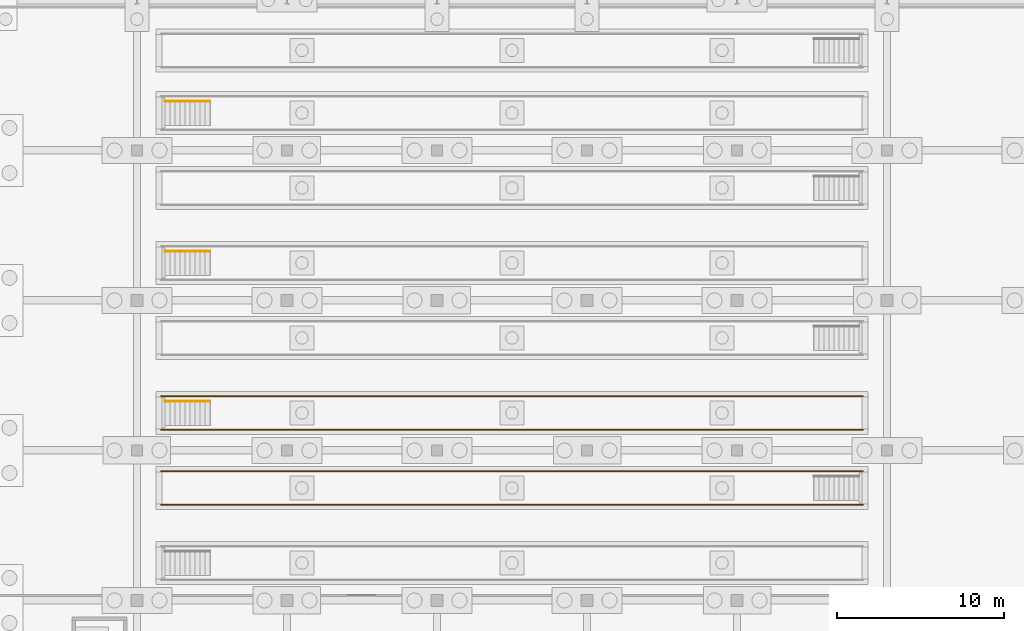
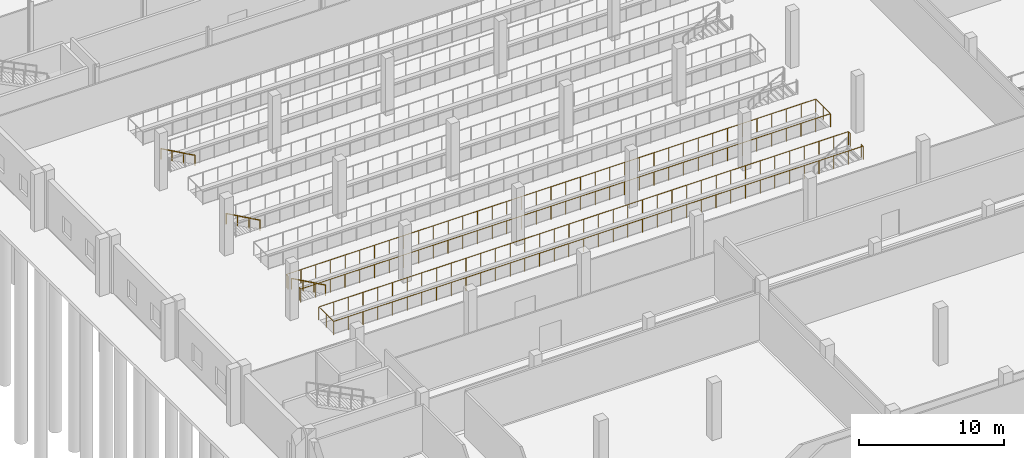
# One storey, part 98 of 112: 5 railings.
"""IFC4 building model written with IfcOpenShell, lengths in metres."""

from ifc_helpers import new_model, si_unit, direction, frame, origin, origin_2d, place, context, subcontext, project, spatial, circle, extrude, material, type_object, element, save


model = new_model("IFC4")

# Units and contexts
model_context = context("Model", 3, precision=1e-05, world=origin(), true_north=direction((0.0, 1.0)))
body_context = subcontext(model_context, "Body", "Model", "MODEL_VIEW")
ifc_project = project(units=[si_unit("LENGTHUNIT", "METRE"), si_unit("AREAUNIT", "SQUARE_METRE"), si_unit("VOLUMEUNIT", "CUBIC_METRE"), si_unit("PLANEANGLEUNIT", "RADIAN"), si_unit("MASSUNIT", "GRAM", prefix="KILO")], contexts=[model_context])

# Site, building, storey
site_placement = place(None, origin())
site = spatial("IfcSite", under=ifc_project, at=site_placement, CompositionType="ELEMENT")
building_placement = place(site_placement, origin())
building = spatial("IfcBuilding", under=site, at=building_placement, Name="Tharagai Park Tramway Depot", CompositionType="ELEMENT")
storey_placement = place(building_placement, origin())
storey = spatial("IfcBuildingStorey", under=building, at=storey_placement, Name="L00", CompositionType="ELEMENT", Elevation=0.0)

# Railings
ifc_material = material(Name="Galvanised steel", Category="steel")
railing_type_1 = type_object("IfcRailingType", Name="HR-01", PredefinedType="GUARDRAIL", material=ifc_material)
railing_1_placement = place(storey_placement, frame((52.56005859375, 61.52001953125, 0.0)))
element("IfcRailing", 1, at=railing_1_placement, inside=storey, type_object=railing_type_1, Name="Inspection Pit Track 2 Mouth Safety Guard 1", PredefinedType="GUARDRAIL", context=body_context, shape_type="SweptSolid", body=[
    extrude(circle(Radius=0.02392578125, at=origin_2d()), frame((0.0, 0.0, 1.10595703125), z_axis=(0.0, 1.0, 0.0), x_axis=(-1.0, 0.0, 0.0)), (0.0, 0.0, 1.0), 0.239990234375),
    extrude(circle(Radius=0.02392578125, at=origin_2d()), frame((0.0, 0.239990234375, 1.10595703125), z_axis=(-1.0, 0.0, 0.0), x_axis=(0.0, -1.0, 0.0)), (0.0, 0.0, 1.0), 42.1201171875),
    extrude(circle(Radius=0.02392578125, at=origin_2d()), frame((-42.1201171875, 0.239990234375, 1.10595703125), z_axis=(0.0, -1.0, 0.0), x_axis=(1.0, 0.0, 0.0)), (0.0, 0.0, 1.0), 2.02001953125),
    extrude(circle(Radius=0.02392578125, at=origin_2d()), frame((-42.1201171875, -1.780029296875, 1.10595703125), z_axis=(1.0, 0.0, 0.0), x_axis=(0.0, 1.0, 0.0)), (0.0, 0.0, 1.0), 42.1201171875),
    extrude(circle(Radius=0.02392578125, at=origin_2d()), frame((0.0, -1.780029296875, 1.10595703125), z_axis=(0.0, 1.0, 0.0), x_axis=(-1.0, 0.0, 0.0)), (0.0, 0.0, 1.0), 0.239990234375),
    extrude(circle(Radius=0.02099609375, at=origin_2d()), origin(), (0.0, 0.0, 1.0), 1.081787109375),
    extrude(circle(Radius=0.02099609375, at=origin_2d()), frame((0.0, 0.239990234375, 0.0)), (0.0, 0.0, 1.0), 1.081787109375),
    extrude(circle(Radius=0.02099609375, at=origin_2d()), frame((-1.169921875, 0.239990234375, 0.0)), (0.0, 0.0, 1.0), 1.081787109375),
    extrude(circle(Radius=0.02099609375, at=origin_2d()), frame((-2.340087890625, 0.239990234375, 0.0)), (0.0, 0.0, 1.0), 1.081787109375),
    extrude(circle(Radius=0.02099609375, at=origin_2d()), frame((-3.510009765625, 0.239990234375, 0.0)), (0.0, 0.0, 1.0), 1.081787109375),
    extrude(circle(Radius=0.02099609375, at=origin_2d()), frame((-4.679931640625, 0.239990234375, 0.0)), (0.0, 0.0, 1.0), 1.081787109375),
    extrude(circle(Radius=0.02099609375, at=origin_2d()), frame((-5.85009765625, 0.239990234375, 0.0)), (0.0, 0.0, 1.0), 1.081787109375),
    extrude(circle(Radius=0.02099609375, at=origin_2d()), frame((-7.02001953125, 0.239990234375, 0.0)), (0.0, 0.0, 1.0), 1.081787109375),
    extrude(circle(Radius=0.02099609375, at=origin_2d()), frame((-8.18994140625, 0.239990234375, 0.0)), (0.0, 0.0, 1.0), 1.081787109375),
    extrude(circle(Radius=0.02099609375, at=origin_2d()), frame((-9.360107421875, 0.239990234375, 0.0)), (0.0, 0.0, 1.0), 1.081787109375),
    extrude(circle(Radius=0.02099609375, at=origin_2d()), frame((-10.530029296875, 0.239990234375, 0.0)), (0.0, 0.0, 1.0), 1.081787109375),
    extrude(circle(Radius=0.02099609375, at=origin_2d()), frame((-11.699951171875, 0.239990234375, 0.0)), (0.0, 0.0, 1.0), 1.081787109375),
    extrude(circle(Radius=0.02099609375, at=origin_2d()), frame((-12.8701171875, 0.239990234375, 0.0)), (0.0, 0.0, 1.0), 1.081787109375),
    extrude(circle(Radius=0.02099609375, at=origin_2d()), frame((-14.0400390625, 0.239990234375, 0.0)), (0.0, 0.0, 1.0), 1.081787109375),
    extrude(circle(Radius=0.02099609375, at=origin_2d()), frame((-15.2099609375, 0.239990234375, 0.0)), (0.0, 0.0, 1.0), 1.081787109375),
    extrude(circle(Radius=0.02099609375, at=origin_2d()), frame((-16.380126953125, 0.239990234375, 0.0)), (0.0, 0.0, 1.0), 1.081787109375),
    extrude(circle(Radius=0.02099609375, at=origin_2d()), frame((-17.550048828125, 0.239990234375, 0.0)), (0.0, 0.0, 1.0), 1.081787109375),
    extrude(circle(Radius=0.02099609375, at=origin_2d()), frame((-18.719970703125, 0.239990234375, 0.0)), (0.0, 0.0, 1.0), 1.081787109375),
    extrude(circle(Radius=0.02099609375, at=origin_2d()), frame((-19.89013671875, 0.239990234375, 0.0)), (0.0, 0.0, 1.0), 1.081787109375),
    extrude(circle(Radius=0.02099609375, at=origin_2d()), frame((-21.06005859375, 0.239990234375, 0.0)), (0.0, 0.0, 1.0), 1.081787109375),
    extrude(circle(Radius=0.02099609375, at=origin_2d()), frame((-22.22998046875, 0.239990234375, 0.0)), (0.0, 0.0, 1.0), 1.081787109375),
    extrude(circle(Radius=0.02099609375, at=origin_2d()), frame((-23.400146484375, 0.239990234375, 0.0)), (0.0, 0.0, 1.0), 1.081787109375),
    extrude(circle(Radius=0.02099609375, at=origin_2d()), frame((-24.570068359375, 0.239990234375, 0.0)), (0.0, 0.0, 1.0), 1.081787109375),
    extrude(circle(Radius=0.02099609375, at=origin_2d()), frame((-25.739990234375, 0.239990234375, 0.0)), (0.0, 0.0, 1.0), 1.081787109375),
    extrude(circle(Radius=0.02099609375, at=origin_2d()), frame((-26.91015625, 0.239990234375, 0.0)), (0.0, 0.0, 1.0), 1.081787109375),
    extrude(circle(Radius=0.02099609375, at=origin_2d()), frame((-28.080078125, 0.239990234375, 0.0)), (0.0, 0.0, 1.0), 1.081787109375),
    extrude(circle(Radius=0.02099609375, at=origin_2d()), frame((-29.25, 0.239990234375, 0.0)), (0.0, 0.0, 1.0), 1.081787109375),
    extrude(circle(Radius=0.02099609375, at=origin_2d()), frame((-30.420166015625, 0.239990234375, 0.0)), (0.0, 0.0, 1.0), 1.081787109375),
    extrude(circle(Radius=0.02099609375, at=origin_2d()), frame((-31.590087890625, 0.239990234375, 0.0)), (0.0, 0.0, 1.0), 1.081787109375),
    extrude(circle(Radius=0.02099609375, at=origin_2d()), frame((-32.760009765625, 0.239990234375, 0.0)), (0.0, 0.0, 1.0), 1.081787109375),
    extrude(circle(Radius=0.02099609375, at=origin_2d()), frame((-33.93017578125, 0.239990234375, 0.0)), (0.0, 0.0, 1.0), 1.081787109375),
    extrude(circle(Radius=0.02099609375, at=origin_2d()), frame((-35.10009765625, 0.239990234375, 0.0)), (0.0, 0.0, 1.0), 1.081787109375),
    extrude(circle(Radius=0.02099609375, at=origin_2d()), frame((-36.27001953125, 0.239990234375, 0.0)), (0.0, 0.0, 1.0), 1.081787109375),
    extrude(circle(Radius=0.02099609375, at=origin_2d()), frame((-37.440185546875, 0.239990234375, 0.0)), (0.0, 0.0, 1.0), 1.081787109375),
    extrude(circle(Radius=0.02099609375, at=origin_2d()), frame((-38.610107421875, 0.239990234375, 0.0)), (0.0, 0.0, 1.0), 1.081787109375),
    extrude(circle(Radius=0.02099609375, at=origin_2d()), frame((-39.780029296875, 0.239990234375, 0.0)), (0.0, 0.0, 1.0), 1.081787109375),
    extrude(circle(Radius=0.02099609375, at=origin_2d()), frame((-40.9501953125, 0.239990234375, 0.0)), (0.0, 0.0, 1.0), 1.081787109375),
    extrude(circle(Radius=0.02099609375, at=origin_2d()), frame((-42.1201171875, 0.239990234375, 0.0)), (0.0, 0.0, 1.0), 1.081787109375),
    extrude(circle(Radius=0.02099609375, at=origin_2d()), frame((-42.1201171875, -0.77001953125, 0.0)), (0.0, 0.0, 1.0), 1.081787109375),
    extrude(circle(Radius=0.02099609375, at=origin_2d()), frame((-42.1201171875, -1.780029296875, 0.0)), (0.0, 0.0, 1.0), 1.081787109375),
    extrude(circle(Radius=0.02099609375, at=origin_2d()), frame((-40.9501953125, -1.780029296875, 0.0)), (0.0, 0.0, 1.0), 1.081787109375),
    extrude(circle(Radius=0.02099609375, at=origin_2d()), frame((-39.780029296875, -1.780029296875, 0.0)), (0.0, 0.0, 1.0), 1.081787109375),
    extrude(circle(Radius=0.02099609375, at=origin_2d()), frame((-38.610107421875, -1.780029296875, 0.0)), (0.0, 0.0, 1.0), 1.081787109375),
    extrude(circle(Radius=0.02099609375, at=origin_2d()), frame((-37.440185546875, -1.780029296875, 0.0)), (0.0, 0.0, 1.0), 1.081787109375),
    extrude(circle(Radius=0.02099609375, at=origin_2d()), frame((-36.27001953125, -1.780029296875, 0.0)), (0.0, 0.0, 1.0), 1.081787109375),
    extrude(circle(Radius=0.02099609375, at=origin_2d()), frame((-35.10009765625, -1.780029296875, 0.0)), (0.0, 0.0, 1.0), 1.081787109375),
    extrude(circle(Radius=0.02099609375, at=origin_2d()), frame((-33.93017578125, -1.780029296875, 0.0)), (0.0, 0.0, 1.0), 1.081787109375),
    extrude(circle(Radius=0.02099609375, at=origin_2d()), frame((-32.760009765625, -1.780029296875, 0.0)), (0.0, 0.0, 1.0), 1.081787109375),
    extrude(circle(Radius=0.02099609375, at=origin_2d()), frame((-31.590087890625, -1.780029296875, 0.0)), (0.0, 0.0, 1.0), 1.081787109375),
    extrude(circle(Radius=0.02099609375, at=origin_2d()), frame((-30.420166015625, -1.780029296875, 0.0)), (0.0, 0.0, 1.0), 1.081787109375),
    extrude(circle(Radius=0.02099609375, at=origin_2d()), frame((-29.25, -1.780029296875, 0.0)), (0.0, 0.0, 1.0), 1.081787109375),
    extrude(circle(Radius=0.02099609375, at=origin_2d()), frame((-28.080078125, -1.780029296875, 0.0)), (0.0, 0.0, 1.0), 1.081787109375),
    extrude(circle(Radius=0.02099609375, at=origin_2d()), frame((-26.91015625, -1.780029296875, 0.0)), (0.0, 0.0, 1.0), 1.081787109375),
    extrude(circle(Radius=0.02099609375, at=origin_2d()), frame((-25.739990234375, -1.780029296875, 0.0)), (0.0, 0.0, 1.0), 1.081787109375),
    extrude(circle(Radius=0.02099609375, at=origin_2d()), frame((-24.570068359375, -1.780029296875, 0.0)), (0.0, 0.0, 1.0), 1.081787109375),
    extrude(circle(Radius=0.02099609375, at=origin_2d()), frame((-23.400146484375, -1.780029296875, 0.0)), (0.0, 0.0, 1.0), 1.081787109375),
    extrude(circle(Radius=0.02099609375, at=origin_2d()), frame((-22.22998046875, -1.780029296875, 0.0)), (0.0, 0.0, 1.0), 1.081787109375),
    extrude(circle(Radius=0.02099609375, at=origin_2d()), frame((-21.06005859375, -1.780029296875, 0.0)), (0.0, 0.0, 1.0), 1.081787109375),
    extrude(circle(Radius=0.02099609375, at=origin_2d()), frame((-19.89013671875, -1.780029296875, 0.0)), (0.0, 0.0, 1.0), 1.081787109375),
    extrude(circle(Radius=0.02099609375, at=origin_2d()), frame((-18.719970703125, -1.780029296875, 0.0)), (0.0, 0.0, 1.0), 1.081787109375),
    extrude(circle(Radius=0.02099609375, at=origin_2d()), frame((-17.550048828125, -1.780029296875, 0.0)), (0.0, 0.0, 1.0), 1.081787109375),
    extrude(circle(Radius=0.02099609375, at=origin_2d()), frame((-16.380126953125, -1.780029296875, 0.0)), (0.0, 0.0, 1.0), 1.081787109375),
    extrude(circle(Radius=0.02099609375, at=origin_2d()), frame((-15.2099609375, -1.780029296875, 0.0)), (0.0, 0.0, 1.0), 1.081787109375),
    extrude(circle(Radius=0.02099609375, at=origin_2d()), frame((-14.0400390625, -1.780029296875, 0.0)), (0.0, 0.0, 1.0), 1.081787109375),
    extrude(circle(Radius=0.02099609375, at=origin_2d()), frame((-12.8701171875, -1.780029296875, 0.0)), (0.0, 0.0, 1.0), 1.081787109375),
    extrude(circle(Radius=0.02099609375, at=origin_2d()), frame((-11.699951171875, -1.780029296875, 0.0)), (0.0, 0.0, 1.0), 1.081787109375),
    extrude(circle(Radius=0.02099609375, at=origin_2d()), frame((-10.530029296875, -1.780029296875, 0.0)), (0.0, 0.0, 1.0), 1.081787109375),
    extrude(circle(Radius=0.02099609375, at=origin_2d()), frame((-9.360107421875, -1.780029296875, 0.0)), (0.0, 0.0, 1.0), 1.081787109375),
    extrude(circle(Radius=0.02099609375, at=origin_2d()), frame((-8.18994140625, -1.780029296875, 0.0)), (0.0, 0.0, 1.0), 1.081787109375),
    extrude(circle(Radius=0.02099609375, at=origin_2d()), frame((-7.02001953125, -1.780029296875, 0.0)), (0.0, 0.0, 1.0), 1.081787109375),
    extrude(circle(Radius=0.02099609375, at=origin_2d()), frame((-5.85009765625, -1.780029296875, 0.0)), (0.0, 0.0, 1.0), 1.081787109375),
    extrude(circle(Radius=0.02099609375, at=origin_2d()), frame((-4.679931640625, -1.780029296875, 0.0)), (0.0, 0.0, 1.0), 1.081787109375),
    extrude(circle(Radius=0.02099609375, at=origin_2d()), frame((-3.510009765625, -1.780029296875, 0.0)), (0.0, 0.0, 1.0), 1.081787109375),
    extrude(circle(Radius=0.02099609375, at=origin_2d()), frame((-2.340087890625, -1.780029296875, 0.0)), (0.0, 0.0, 1.0), 1.081787109375),
    extrude(circle(Radius=0.02099609375, at=origin_2d()), frame((-1.169921875, -1.780029296875, 0.0)), (0.0, 0.0, 1.0), 1.081787109375),
    extrude(circle(Radius=0.02099609375, at=origin_2d()), frame((0.0, -1.780029296875, 0.0)), (0.0, 0.0, 1.0), 1.081787109375),
    extrude(circle(Radius=0.02099609375, at=origin_2d()), frame((0.0, -1.5400390625, 0.0)), (0.0, 0.0, 1.0), 1.081787109375),
])
railing_2_placement = place(storey_placement, frame((10.43994140625, 64.47998046875, 0.0)))
element("IfcRailing", 2, at=railing_2_placement, inside=storey, type_object=railing_type_1, Name="Inspection Pit Track 3 Mouth Safety Guard 1", PredefinedType="GUARDRAIL", context=body_context, shape_type="SweptSolid", body=[
    extrude(circle(Radius=0.02392578125, at=origin_2d()), frame((0.0, 0.0, 1.10595703125), z_axis=(0.0, -1.0, 0.0), x_axis=(1.0, 0.0, 0.0)), (0.0, 0.0, 1.0), 0.239990234375),
    extrude(circle(Radius=0.02392578125, at=origin_2d()), frame((0.0, -0.239990234375, 1.10595703125), z_axis=(1.0, 0.0, 0.0), x_axis=(0.0, 1.0, 0.0)), (0.0, 0.0, 1.0), 42.1201171875),
    extrude(circle(Radius=0.02392578125, at=origin_2d()), frame((42.1201171875, -0.239990234375, 1.10595703125), z_axis=(0.0, 1.0, 0.0), x_axis=(-1.0, 0.0, 0.0)), (0.0, 0.0, 1.0), 2.02001953125),
    extrude(circle(Radius=0.02392578125, at=origin_2d()), frame((42.1201171875, 1.780029296875, 1.10595703125), z_axis=(-1.0, 0.0, 0.0), x_axis=(0.0, -1.0, 0.0)), (0.0, 0.0, 1.0), 42.1201171875),
    extrude(circle(Radius=0.02392578125, at=origin_2d()), frame((0.0, 1.780029296875, 1.10595703125), z_axis=(0.0, -1.0, 0.0), x_axis=(1.0, 0.0, 0.0)), (0.0, 0.0, 1.0), 0.239990234375),
    extrude(circle(Radius=0.02099609375, at=origin_2d()), origin(), (0.0, 0.0, 1.0), 1.081787109375),
    extrude(circle(Radius=0.02099609375, at=origin_2d()), frame((0.0, -0.239990234375, 0.0)), (0.0, 0.0, 1.0), 1.081787109375),
    extrude(circle(Radius=0.02099609375, at=origin_2d()), frame((1.169921875, -0.239990234375, 0.0)), (0.0, 0.0, 1.0), 1.081787109375),
    extrude(circle(Radius=0.02099609375, at=origin_2d()), frame((2.340087890625, -0.239990234375, 0.0)), (0.0, 0.0, 1.0), 1.081787109375),
    extrude(circle(Radius=0.02099609375, at=origin_2d()), frame((3.510009765625, -0.239990234375, 0.0)), (0.0, 0.0, 1.0), 1.081787109375),
    extrude(circle(Radius=0.02099609375, at=origin_2d()), frame((4.679931640625, -0.239990234375, 0.0)), (0.0, 0.0, 1.0), 1.081787109375),
    extrude(circle(Radius=0.02099609375, at=origin_2d()), frame((5.85009765625, -0.239990234375, 0.0)), (0.0, 0.0, 1.0), 1.081787109375),
    extrude(circle(Radius=0.02099609375, at=origin_2d()), frame((7.02001953125, -0.239990234375, 0.0)), (0.0, 0.0, 1.0), 1.081787109375),
    extrude(circle(Radius=0.02099609375, at=origin_2d()), frame((8.18994140625, -0.239990234375, 0.0)), (0.0, 0.0, 1.0), 1.081787109375),
    extrude(circle(Radius=0.02099609375, at=origin_2d()), frame((9.360107421875, -0.239990234375, 0.0)), (0.0, 0.0, 1.0), 1.081787109375),
    extrude(circle(Radius=0.02099609375, at=origin_2d()), frame((10.530029296875, -0.239990234375, 0.0)), (0.0, 0.0, 1.0), 1.081787109375),
    extrude(circle(Radius=0.02099609375, at=origin_2d()), frame((11.699951171875, -0.239990234375, 0.0)), (0.0, 0.0, 1.0), 1.081787109375),
    extrude(circle(Radius=0.02099609375, at=origin_2d()), frame((12.8701171875, -0.239990234375, 0.0)), (0.0, 0.0, 1.0), 1.081787109375),
    extrude(circle(Radius=0.02099609375, at=origin_2d()), frame((14.0400390625, -0.239990234375, 0.0)), (0.0, 0.0, 1.0), 1.081787109375),
    extrude(circle(Radius=0.02099609375, at=origin_2d()), frame((15.2099609375, -0.239990234375, 0.0)), (0.0, 0.0, 1.0), 1.081787109375),
    extrude(circle(Radius=0.02099609375, at=origin_2d()), frame((16.380126953125, -0.239990234375, 0.0)), (0.0, 0.0, 1.0), 1.081787109375),
    extrude(circle(Radius=0.02099609375, at=origin_2d()), frame((17.550048828125, -0.239990234375, 0.0)), (0.0, 0.0, 1.0), 1.081787109375),
    extrude(circle(Radius=0.02099609375, at=origin_2d()), frame((18.719970703125, -0.239990234375, 0.0)), (0.0, 0.0, 1.0), 1.081787109375),
    extrude(circle(Radius=0.02099609375, at=origin_2d()), frame((19.89013671875, -0.239990234375, 0.0)), (0.0, 0.0, 1.0), 1.081787109375),
    extrude(circle(Radius=0.02099609375, at=origin_2d()), frame((21.06005859375, -0.239990234375, 0.0)), (0.0, 0.0, 1.0), 1.081787109375),
    extrude(circle(Radius=0.02099609375, at=origin_2d()), frame((22.22998046875, -0.239990234375, 0.0)), (0.0, 0.0, 1.0), 1.081787109375),
    extrude(circle(Radius=0.02099609375, at=origin_2d()), frame((23.400146484375, -0.239990234375, 0.0)), (0.0, 0.0, 1.0), 1.081787109375),
    extrude(circle(Radius=0.02099609375, at=origin_2d()), frame((24.570068359375, -0.239990234375, 0.0)), (0.0, 0.0, 1.0), 1.081787109375),
    extrude(circle(Radius=0.02099609375, at=origin_2d()), frame((25.739990234375, -0.239990234375, 0.0)), (0.0, 0.0, 1.0), 1.081787109375),
    extrude(circle(Radius=0.02099609375, at=origin_2d()), frame((26.91015625, -0.239990234375, 0.0)), (0.0, 0.0, 1.0), 1.081787109375),
    extrude(circle(Radius=0.02099609375, at=origin_2d()), frame((28.080078125, -0.239990234375, 0.0)), (0.0, 0.0, 1.0), 1.081787109375),
    extrude(circle(Radius=0.02099609375, at=origin_2d()), frame((29.25, -0.239990234375, 0.0)), (0.0, 0.0, 1.0), 1.081787109375),
    extrude(circle(Radius=0.02099609375, at=origin_2d()), frame((30.420166015625, -0.239990234375, 0.0)), (0.0, 0.0, 1.0), 1.081787109375),
    extrude(circle(Radius=0.02099609375, at=origin_2d()), frame((31.590087890625, -0.239990234375, 0.0)), (0.0, 0.0, 1.0), 1.081787109375),
    extrude(circle(Radius=0.02099609375, at=origin_2d()), frame((32.760009765625, -0.239990234375, 0.0)), (0.0, 0.0, 1.0), 1.081787109375),
    extrude(circle(Radius=0.02099609375, at=origin_2d()), frame((33.93017578125, -0.239990234375, 0.0)), (0.0, 0.0, 1.0), 1.081787109375),
    extrude(circle(Radius=0.02099609375, at=origin_2d()), frame((35.10009765625, -0.239990234375, 0.0)), (0.0, 0.0, 1.0), 1.081787109375),
    extrude(circle(Radius=0.02099609375, at=origin_2d()), frame((36.27001953125, -0.239990234375, 0.0)), (0.0, 0.0, 1.0), 1.081787109375),
    extrude(circle(Radius=0.02099609375, at=origin_2d()), frame((37.440185546875, -0.239990234375, 0.0)), (0.0, 0.0, 1.0), 1.081787109375),
    extrude(circle(Radius=0.02099609375, at=origin_2d()), frame((38.610107421875, -0.239990234375, 0.0)), (0.0, 0.0, 1.0), 1.081787109375),
    extrude(circle(Radius=0.02099609375, at=origin_2d()), frame((39.780029296875, -0.239990234375, 0.0)), (0.0, 0.0, 1.0), 1.081787109375),
    extrude(circle(Radius=0.02099609375, at=origin_2d()), frame((40.9501953125, -0.239990234375, 0.0)), (0.0, 0.0, 1.0), 1.081787109375),
    extrude(circle(Radius=0.02099609375, at=origin_2d()), frame((42.1201171875, -0.239990234375, 0.0)), (0.0, 0.0, 1.0), 1.081787109375),
    extrude(circle(Radius=0.02099609375, at=origin_2d()), frame((42.1201171875, 0.77001953125, 0.0)), (0.0, 0.0, 1.0), 1.081787109375),
    extrude(circle(Radius=0.02099609375, at=origin_2d()), frame((42.1201171875, 1.780029296875, 0.0)), (0.0, 0.0, 1.0), 1.081787109375),
    extrude(circle(Radius=0.02099609375, at=origin_2d()), frame((40.9501953125, 1.780029296875, 0.0)), (0.0, 0.0, 1.0), 1.081787109375),
    extrude(circle(Radius=0.02099609375, at=origin_2d()), frame((39.780029296875, 1.780029296875, 0.0)), (0.0, 0.0, 1.0), 1.081787109375),
    extrude(circle(Radius=0.02099609375, at=origin_2d()), frame((38.610107421875, 1.780029296875, 0.0)), (0.0, 0.0, 1.0), 1.081787109375),
    extrude(circle(Radius=0.02099609375, at=origin_2d()), frame((37.440185546875, 1.780029296875, 0.0)), (0.0, 0.0, 1.0), 1.081787109375),
    extrude(circle(Radius=0.02099609375, at=origin_2d()), frame((36.27001953125, 1.780029296875, 0.0)), (0.0, 0.0, 1.0), 1.081787109375),
    extrude(circle(Radius=0.02099609375, at=origin_2d()), frame((35.10009765625, 1.780029296875, 0.0)), (0.0, 0.0, 1.0), 1.081787109375),
    extrude(circle(Radius=0.02099609375, at=origin_2d()), frame((33.93017578125, 1.780029296875, 0.0)), (0.0, 0.0, 1.0), 1.081787109375),
    extrude(circle(Radius=0.02099609375, at=origin_2d()), frame((32.760009765625, 1.780029296875, 0.0)), (0.0, 0.0, 1.0), 1.081787109375),
    extrude(circle(Radius=0.02099609375, at=origin_2d()), frame((31.590087890625, 1.780029296875, 0.0)), (0.0, 0.0, 1.0), 1.081787109375),
    extrude(circle(Radius=0.02099609375, at=origin_2d()), frame((30.420166015625, 1.780029296875, 0.0)), (0.0, 0.0, 1.0), 1.081787109375),
    extrude(circle(Radius=0.02099609375, at=origin_2d()), frame((29.25, 1.780029296875, 0.0)), (0.0, 0.0, 1.0), 1.081787109375),
    extrude(circle(Radius=0.02099609375, at=origin_2d()), frame((28.080078125, 1.780029296875, 0.0)), (0.0, 0.0, 1.0), 1.081787109375),
    extrude(circle(Radius=0.02099609375, at=origin_2d()), frame((26.91015625, 1.780029296875, 0.0)), (0.0, 0.0, 1.0), 1.081787109375),
    extrude(circle(Radius=0.02099609375, at=origin_2d()), frame((25.739990234375, 1.780029296875, 0.0)), (0.0, 0.0, 1.0), 1.081787109375),
    extrude(circle(Radius=0.02099609375, at=origin_2d()), frame((24.570068359375, 1.780029296875, 0.0)), (0.0, 0.0, 1.0), 1.081787109375),
    extrude(circle(Radius=0.02099609375, at=origin_2d()), frame((23.400146484375, 1.780029296875, 0.0)), (0.0, 0.0, 1.0), 1.081787109375),
    extrude(circle(Radius=0.02099609375, at=origin_2d()), frame((22.22998046875, 1.780029296875, 0.0)), (0.0, 0.0, 1.0), 1.081787109375),
    extrude(circle(Radius=0.02099609375, at=origin_2d()), frame((21.06005859375, 1.780029296875, 0.0)), (0.0, 0.0, 1.0), 1.081787109375),
    extrude(circle(Radius=0.02099609375, at=origin_2d()), frame((19.89013671875, 1.780029296875, 0.0)), (0.0, 0.0, 1.0), 1.081787109375),
    extrude(circle(Radius=0.02099609375, at=origin_2d()), frame((18.719970703125, 1.780029296875, 0.0)), (0.0, 0.0, 1.0), 1.081787109375),
    extrude(circle(Radius=0.02099609375, at=origin_2d()), frame((17.550048828125, 1.780029296875, 0.0)), (0.0, 0.0, 1.0), 1.081787109375),
    extrude(circle(Radius=0.02099609375, at=origin_2d()), frame((16.380126953125, 1.780029296875, 0.0)), (0.0, 0.0, 1.0), 1.081787109375),
    extrude(circle(Radius=0.02099609375, at=origin_2d()), frame((15.2099609375, 1.780029296875, 0.0)), (0.0, 0.0, 1.0), 1.081787109375),
    extrude(circle(Radius=0.02099609375, at=origin_2d()), frame((14.0400390625, 1.780029296875, 0.0)), (0.0, 0.0, 1.0), 1.081787109375),
    extrude(circle(Radius=0.02099609375, at=origin_2d()), frame((12.8701171875, 1.780029296875, 0.0)), (0.0, 0.0, 1.0), 1.081787109375),
    extrude(circle(Radius=0.02099609375, at=origin_2d()), frame((11.699951171875, 1.780029296875, 0.0)), (0.0, 0.0, 1.0), 1.081787109375),
    extrude(circle(Radius=0.02099609375, at=origin_2d()), frame((10.530029296875, 1.780029296875, 0.0)), (0.0, 0.0, 1.0), 1.081787109375),
    extrude(circle(Radius=0.02099609375, at=origin_2d()), frame((9.360107421875, 1.780029296875, 0.0)), (0.0, 0.0, 1.0), 1.081787109375),
    extrude(circle(Radius=0.02099609375, at=origin_2d()), frame((8.18994140625, 1.780029296875, 0.0)), (0.0, 0.0, 1.0), 1.081787109375),
    extrude(circle(Radius=0.02099609375, at=origin_2d()), frame((7.02001953125, 1.780029296875, 0.0)), (0.0, 0.0, 1.0), 1.081787109375),
    extrude(circle(Radius=0.02099609375, at=origin_2d()), frame((5.85009765625, 1.780029296875, 0.0)), (0.0, 0.0, 1.0), 1.081787109375),
    extrude(circle(Radius=0.02099609375, at=origin_2d()), frame((4.679931640625, 1.780029296875, 0.0)), (0.0, 0.0, 1.0), 1.081787109375),
    extrude(circle(Radius=0.02099609375, at=origin_2d()), frame((3.510009765625, 1.780029296875, 0.0)), (0.0, 0.0, 1.0), 1.081787109375),
    extrude(circle(Radius=0.02099609375, at=origin_2d()), frame((2.340087890625, 1.780029296875, 0.0)), (0.0, 0.0, 1.0), 1.081787109375),
    extrude(circle(Radius=0.02099609375, at=origin_2d()), frame((1.169921875, 1.780029296875, 0.0)), (0.0, 0.0, 1.0), 1.081787109375),
    extrude(circle(Radius=0.02099609375, at=origin_2d()), frame((0.0, 1.780029296875, 0.0)), (0.0, 0.0, 1.0), 1.081787109375),
    extrude(circle(Radius=0.02099609375, at=origin_2d()), frame((0.0, 1.5400390625, 0.0)), (0.0, 0.0, 1.0), 1.081787109375),
])
railing_type_2 = type_object("IfcRailingType", Name="HR-03", PredefinedType="HANDRAIL", material=ifc_material)
for number, where, name in (
    (3, (13.3798828125, 65.949951171875, -1.5), "Inspection Pit Track 3 Stair Handrail"),
    (4, (13.3798828125, 74.949951171875, -1.5), "Inspection Pit Track 5 Stair Handrail"),
    (5, (13.3798828125, 83.949951171875, -1.5), "Inspection Pit Track 7 Stair Handrail"),
):
    element("IfcRailing", number, at=place(storey_placement, frame(where)), inside=storey, type_object=railing_type_2, Name=name, PredefinedType="HANDRAIL", context=body_context, shape_type="SweptSolid", body=[
        extrude(circle(Radius=0.02392578125, at=origin_2d()), frame((0.0, 0.0, 0.8759765625), z_axis=(-0.87415354758, 0.0, 0.485649642493), x_axis=(0.0, -1.0, 0.0)), (0.0, 0.0, 1.0), 3.088623046875),
        extrude(circle(Radius=0.02099609375, at=origin_2d()), origin(), (0.0, 0.0, 1.0), 0.851806640625),
        extrude(circle(Radius=0.02099609375, at=origin_2d()), frame((-0.89990234375, 0.0, 0.5)), (0.0, 0.0, 1.0), 0.851806640625),
        extrude(circle(Radius=0.02099609375, at=origin_2d()), frame((-1.800048828125, 0.0, 1.0)), (0.0, 0.0, 1.0), 0.851806640625),
        extrude(circle(Radius=0.02099609375, at=origin_2d()), frame((-2.699951171875, 0.0, 1.5)), (0.0, 0.0, 1.0), 0.851806640625),
    ])

save(model, "model.ifc")
